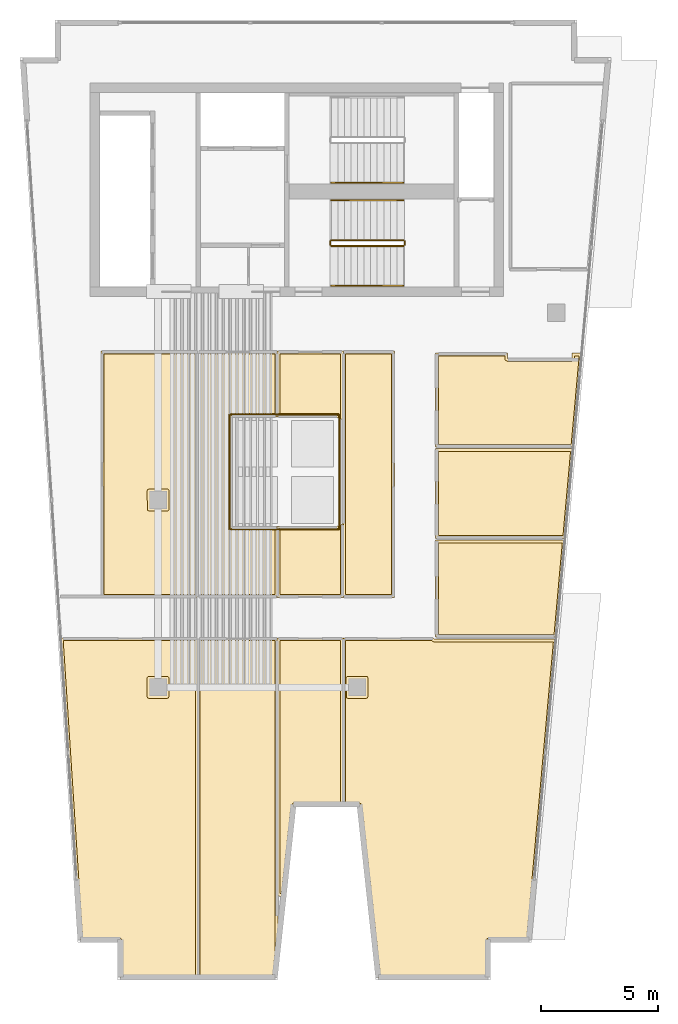
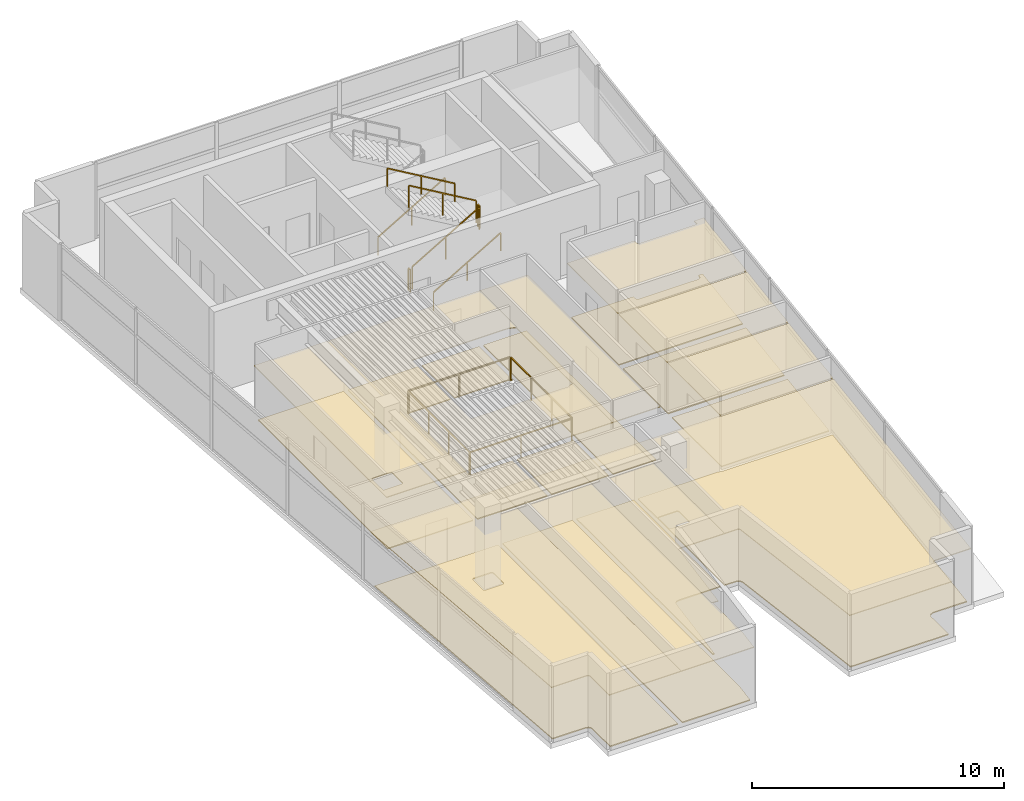
# One storey, part 6 of 7: 24 coverings, 11 railings.
"""IFC4 building model written with IfcOpenShell, lengths in metres."""

from ifc_helpers import new_model, si_unit, direction, frame, origin, origin_2d, place, context, subcontext, project, spatial, polyline, rectangle, outline, extrude, material, layer, layer_set, type_object, element, save


model = new_model("IFC4")

# Units and contexts
model_context = context("Model", 3, precision=1e-05, world=origin(), true_north=direction((0.0, 1.0)))
body_context = subcontext(model_context, "Body", "Model", "MODEL_VIEW")
ifc_project = project(units=[si_unit("LENGTHUNIT", "METRE"), si_unit("AREAUNIT", "SQUARE_METRE"), si_unit("VOLUMEUNIT", "CUBIC_METRE"), si_unit("PLANEANGLEUNIT", "RADIAN"), si_unit("MASSUNIT", "GRAM", prefix="KILO")], contexts=[model_context])

# Site, building, storey
site_placement = place(None, origin())
site = spatial("IfcSite", under=ifc_project, at=site_placement, CompositionType="ELEMENT")
building_placement = place(site_placement, origin())
building = spatial("IfcBuilding", under=site, at=building_placement, Name="Caeloran Harvest Quay", CompositionType="ELEMENT")
storey_placement = place(building_placement, frame((0.0, 0.0, 300.14990234375)))
storey = spatial("IfcBuildingStorey", under=building, at=storey_placement, Name="L72", CompositionType="ELEMENT", Elevation=300.14990234375)

# Coverings
ifc_material_1 = material(Name="Perforated Mineral-Fibre Acoustic Ceiling Tile", Category="ceiling")
ifc_layer_1 = layer(ifc_material_1, 0.0400390625, Name="Perforated Mineral-Fibre Acoustic Ceiling Tile")
ifc_layer_set_1 = layer_set([ifc_layer_1], Name="Perforated Mineral-Fibre Acoustic Ceiling Tile")
covering_type_1 = type_object("IfcCoveringType", Name="COV-CEILING-ACOUSTIC", PredefinedType="CEILING", material=ifc_layer_set_1)
covering_1_placement = place(storey_placement, frame((0.0, 0.0, 2.60009765625)))
element("IfcCovering", 1, at=covering_1_placement, inside=storey, type_object=covering_type_1, Name="L72 Male Washroom WC Acoustic Ceiling", PredefinedType="CEILING", context=body_context, shape_type="SweptSolid", body=[
    extrude(outline(polyline([(23.429931640625, 29.280029296875), (23.43017578125, 29.048095703125), (23.450927734375, 29.030029296875), (26.152099609375, 29.030029296875), (26.169921875, 29.048095703125), (26.169921875, 29.280029296875), (26.6171875, 29.280029296875), (26.254638671875, 25.260009765625), (20.360107421875, 25.260009765625), (20.360107421875, 29.280029296875), (23.429931640625, 29.280029296875)])), origin(), (0.0, 0.0, 1.0), 0.0400390625),
])
covering_2_placement = place(storey_placement, frame((0.0, 0.0, 2.60009765625)))
element("IfcCovering", 2, at=covering_2_placement, inside=storey, type_object=covering_type_1, Name="L72 Female Washroom WC Acoustic Ceiling", PredefinedType="CEILING", context=body_context, shape_type="SweptSolid", body=[
    extrude(outline(polyline([(26.248291015625, 25.18994140625), (25.90283203125, 21.360107421875), (20.360107421875, 21.360107421875), (20.360107421875, 25.18994140625), (26.248291015625, 25.18994140625)])), origin(), (0.0, 0.0, 1.0), 0.0400390625),
])
covering_3_placement = place(storey_placement, frame((0.0, 0.0, 2.60009765625)))
element("IfcCovering", 3, at=covering_3_placement, inside=storey, type_object=covering_type_1, Name="L72 Accessible Unisex Washroom WC Acoustic Ceiling", PredefinedType="CEILING", context=body_context, shape_type="SweptSolid", body=[
    extrude(outline(polyline([(25.896484375, 21.2900390625), (25.5224609375, 17.139892578125), (20.360107421875, 17.139892578125), (20.360107421875, 21.2900390625), (25.896484375, 21.2900390625)])), origin(), (0.0, 0.0, 1.0), 0.0400390625),
])
covering_4_placement = place(storey_placement, frame((0.0, 0.0, 2.60009765625)))
element("IfcCovering", 4, at=covering_4_placement, inside=storey, type_object=covering_type_1, Name="West Harbour Tasting Kitchen Acoustic Ceiling", PredefinedType="CEILING", context=body_context, shape_type="SweptSolid", body=[
    extrude(outline(polyline([(10.179931640625, 2.60009765625), (10.179931640625, 17.110107421875), (13.6201171875, 17.110107421875), (13.6201171875, 3.681640625), (13.502685546875, 2.60009765625), (10.179931640625, 2.60009765625)])), origin(), (0.0, 0.0, 1.0), 0.0400390625),
])
covering_5_placement = place(storey_placement, frame((0.0, 0.0, 2.60009765625)))
element("IfcCovering", 5, at=covering_5_placement, inside=storey, type_object=covering_type_1, Name="Executive Dining Kitchen Acoustic Ceiling", PredefinedType="CEILING", context=body_context, shape_type="SweptSolid", body=[
    extrude(outline(polyline([(6.865478515625, 4.147216796875), (6.82470703125, 4.18798828125), (6.776611328125, 4.199951171875), (5.166748046875, 4.199951171875), (4.323486328125, 17.110107421875), (10.219970703125, 17.110107421875), (10.219970703125, 2.60009765625), (6.87744140625, 2.60009765625), (6.87744140625, 4.09912109375), (6.865478515625, 4.147216796875)])), origin(), (0.0, 0.0, 1.0), 0.0400390625),
])
covering_6_placement = place(storey_placement, frame((0.0, 0.0, 2.60009765625)))
element("IfcCovering", 6, at=covering_6_placement, inside=storey, type_object=covering_type_1, Name="Sommelier Prep Kitchen Acoustic Ceiling", PredefinedType="CEILING", context=body_context, shape_type="SweptSolid", body=[
    extrude(outline(polyline([(25.51513671875, 17.06005859375), (24.35546875, 4.199951171875), (22.70361328125, 4.199951171875), (22.6318359375, 4.170654296875), (22.6025390625, 4.09912109375), (22.6025390625, 2.60009765625), (17.8896484375, 2.60009765625), (17.097900390625, 9.900390625), (17.0703125, 9.950927734375), (17.009765625, 9.9794921875), (16.3798828125, 9.97998046875), (16.3798828125, 17.110107421875), (20.258544921875, 17.110107421875), (20.2900390625, 17.08154296875), (20.2900390625, 17.06005859375), (25.51513671875, 17.06005859375)])), origin(), (0.0, 0.0, 1.0), 0.0400390625),
])
covering_7_placement = place(storey_placement, frame((0.0, 0.0, 2.60009765625)))
element("IfcCovering", 7, at=covering_7_placement, inside=storey, type_object=covering_type_1, Name="Crown Culinary Meeting Room Acoustic Ceiling", PredefinedType="CEILING", context=body_context, shape_type="SweptSolid", body=[
    extrude(outline(polyline([(16.419921875, 17.110107421875), (16.419921875, 9.97998046875), (14.3935546875, 9.97998046875), (14.345703125, 9.96826171875), (14.309814453125, 9.93603515625), (14.29296875, 9.889892578125), (13.87841796875, 6.066650390625), (13.580078125, 6.082763671875), (13.580078125, 17.110107421875), (16.419921875, 17.110107421875)])), origin(), (0.0, 0.0, 1.0), 0.0400390625),
])
covering_8_placement = place(storey_placement, frame((0.0, 0.0, 2.60009765625)))
element("IfcCovering", 8, at=covering_8_placement, inside=storey, type_object=covering_type_1, Name="Sky-Atrium Observation Lounge Acoustic Ceiling", PredefinedType="CEILING", context=body_context, shape_type="SweptSolid", body=[
    extrude(outline(polyline([(13.580078125, 18.840087890625), (13.580078125, 21.860107421875), (16.139892578125, 21.860107421875), (16.139892578125, 21.87841796875), (16.419921875, 21.978515625), (16.419921875, 18.840087890625), (13.580078125, 18.840087890625)])), origin(), (0.0, 0.0, 1.0), 0.0400390625),
])
covering_9_placement = place(storey_placement, frame((0.0, 0.0, 2.60009765625)))
element("IfcCovering", 9, at=covering_9_placement, inside=storey, type_object=covering_type_1, Name="Botanical Tea Kitchen Acoustic Ceiling", PredefinedType="CEILING", context=body_context, shape_type="SweptSolid", body=[
    extrude(outline(polyline([(10.219970703125, 29.360107421875), (10.219970703125, 18.840087890625), (6.070068359375, 18.840087890625), (6.070068359375, 29.360107421875), (10.219970703125, 29.360107421875)])), origin(), (0.0, 0.0, 1.0), 0.0400390625),
])
covering_10_placement = place(storey_placement, frame((0.0, 0.0, 2.60009765625)))
element("IfcCovering", 10, at=covering_10_placement, inside=storey, type_object=covering_type_1, Name="West Harbour Tasting Kitchen 7 Acoustic Ceiling", PredefinedType="CEILING", context=body_context, shape_type="SweptSolid", body=[
    extrude(outline(polyline([(11.659912109375, 26.5400390625), (11.659912109375, 21.860107421875), (13.6201171875, 21.860107421875), (13.6201171875, 18.840087890625), (10.179931640625, 18.840087890625), (10.179931640625, 29.360107421875), (13.6201171875, 29.360107421875), (13.6201171875, 26.5400390625), (11.659912109375, 26.5400390625)])), origin(), (0.0, 0.0, 1.0), 0.0400390625),
])
covering_11_placement = place(storey_placement, frame((0.0, 0.0, 2.60009765625)))
element("IfcCovering", 11, at=covering_11_placement, inside=storey, type_object=covering_type_1, Name="Executive Dining Kitchen 8 Acoustic Ceiling", PredefinedType="CEILING", context=body_context, shape_type="SweptSolid", body=[
    extrude(outline(polyline([(16.3798828125, 29.360107421875), (18.590087890625, 29.360107421875), (18.590087890625, 18.840087890625), (16.3798828125, 18.840087890625), (16.3798828125, 29.360107421875)])), origin(), (0.0, 0.0, 1.0), 0.0400390625),
])
covering_12_placement = place(storey_placement, frame((0.0, 0.0, 2.60009765625)))
element("IfcCovering", 12, at=covering_12_placement, inside=storey, type_object=covering_type_1, Name="Sommelier Prep Kitchen 9 Acoustic Ceiling", PredefinedType="CEILING", context=body_context, shape_type="SweptSolid", body=[
    extrude(outline(polyline([(16.140380859375, 26.5400390625), (13.580078125, 26.5400390625), (13.580078125, 29.360107421875), (16.419921875, 29.360107421875), (16.419921875, 26.42138671875), (16.141357421875, 26.521240234375), (16.140380859375, 26.5400390625)])), origin(), (0.0, 0.0, 1.0), 0.0400390625),
])
ifc_material_2 = material(Name="Calcium-Sulphate Raised Access Floor and Terrazzo Finish", Category="flooring")
ifc_layer_2 = layer(ifc_material_2, 0.050048828125, Name="Calcium-Sulphate Raised Access Floor and Terrazzo Finish")
ifc_layer_set_2 = layer_set([ifc_layer_2], Name="Calcium-Sulphate Raised Access Floor and Terrazzo Finish")
covering_type_2 = type_object("IfcCoveringType", Name="COV-FLOOR-RAISED", PredefinedType="FLOORING", material=ifc_layer_set_2)
covering_13_placement = place(storey_placement, origin())
element("IfcCovering", 13, at=covering_13_placement, inside=storey, type_object=covering_type_2, Name="L72 Male Washroom WC Raised Finish Flooring", PredefinedType="FLOORING", context=body_context, shape_type="SweptSolid", body=[
    extrude(outline(polyline([(23.31005859375, 29.159912109375), (23.32861328125, 28.980712890625), (23.449951171875, 28.909912109375), (26.159912109375, 28.910400390625), (26.275146484375, 28.987548828125), (26.2900390625, 29.159912109375), (26.48583984375, 29.159912109375), (26.14501953125, 25.3798828125), (20.47998046875, 25.3798828125), (20.47998046875, 29.159912109375), (23.31005859375, 29.159912109375)])), origin(), (0.0, 0.0, 1.0), 0.050048828125),
])
covering_14_placement = place(storey_placement, origin())
element("IfcCovering", 14, at=covering_14_placement, inside=storey, type_object=covering_type_2, Name="L72 Female Washroom WC Raised Finish Flooring", PredefinedType="FLOORING", context=body_context, shape_type="SweptSolid", body=[
    extrude(outline(polyline([(26.116943359375, 25.070068359375), (25.793212890625, 21.47998046875), (20.47998046875, 21.47998046875), (20.47998046875, 25.070068359375), (26.116943359375, 25.070068359375)])), origin(), (0.0, 0.0, 1.0), 0.050048828125),
])
covering_15_placement = place(storey_placement, origin())
element("IfcCovering", 15, at=covering_15_placement, inside=storey, type_object=covering_type_2, Name="L72 Accessible Unisex Washroom WC Raised Finish Flooring", PredefinedType="FLOORING", context=body_context, shape_type="SweptSolid", body=[
    extrude(outline(polyline([(25.765380859375, 21.169921875), (25.41259765625, 17.260009765625), (20.47998046875, 17.260009765625), (20.47998046875, 21.169921875), (25.765380859375, 21.169921875)])), origin(), (0.0, 0.0, 1.0), 0.050048828125),
])
covering_16_placement = place(storey_placement, origin())
element("IfcCovering", 16, at=covering_16_placement, inside=storey, type_object=covering_type_2, Name="West Harbour Tasting Kitchen Raised Finish Flooring", PredefinedType="FLOORING", context=body_context, shape_type="SweptSolid", body=[
    extrude(outline(polyline([(10.300048828125, 2.719970703125), (10.300048828125, 16.989990234375), (13.5, 16.989990234375), (13.5, 3.68798828125), (13.39501953125, 2.719970703125), (10.300048828125, 2.719970703125)])), origin(), (0.0, 0.0, 1.0), 0.050048828125),
])
covering_17_placement = place(storey_placement, origin())
element("IfcCovering", 17, at=covering_17_placement, inside=storey, type_object=covering_type_2, Name="Executive Dining Kitchen Raised Finish Flooring", PredefinedType="FLOORING", context=body_context, shape_type="SweptSolid", body=[
    extrude(outline(polyline([(6.982177734375, 4.180419921875), (6.90283203125, 4.28076171875), (6.795166015625, 4.319091796875), (5.279052734375, 4.320068359375), (4.45166015625, 16.989990234375), (10.10009765625, 16.989990234375), (10.10009765625, 2.719970703125), (6.99755859375, 2.719970703125), (6.982177734375, 4.180419921875)]), holes=[polyline([(8.030029296875, 14.610107421875), (8.053466796875, 14.553466796875), (8.102294921875, 14.530517578125), (8.889892578125, 14.530029296875), (8.946533203125, 14.553466796875), (8.969970703125, 14.610107421875), (8.969970703125, 15.389892578125), (8.946533203125, 15.446533203125), (8.889892578125, 15.469970703125), (8.110107421875, 15.469970703125), (8.053466796875, 15.446533203125), (8.030029296875, 15.389892578125), (8.030029296875, 14.610107421875)])]), origin(), (0.0, 0.0, 1.0), 0.050048828125),
])
covering_18_placement = place(storey_placement, origin())
element("IfcCovering", 18, at=covering_18_placement, inside=storey, type_object=covering_type_2, Name="Sommelier Prep Kitchen Raised Finish Flooring", PredefinedType="FLOORING", context=body_context, shape_type="SweptSolid", body=[
    extrude(outline(polyline([(20.18798828125, 16.989990234375), (20.280029296875, 16.93994140625), (25.3837890625, 16.93994140625), (24.24560546875, 4.320068359375), (22.698486328125, 4.31982421875), (22.5498046875, 4.25830078125), (22.482666015625, 4.10400390625), (22.482421875, 2.719970703125), (17.997314453125, 2.719970703125), (17.216064453125, 9.921142578125), (17.157470703125, 10.03369140625), (17.059814453125, 10.091796875), (16.5, 10.10009765625), (16.5, 16.989990234375), (20.18798828125, 16.989990234375)]), holes=[polyline([(16.530029296875, 15.389892578125), (16.548095703125, 14.55908203125), (16.602294921875, 14.530517578125), (17.389892578125, 14.530029296875), (17.446533203125, 14.553466796875), (17.469970703125, 14.610107421875), (17.469970703125, 15.389892578125), (17.446533203125, 15.446533203125), (17.389892578125, 15.469970703125), (16.610107421875, 15.469970703125), (16.553466796875, 15.446533203125), (16.530029296875, 15.389892578125)])]), origin(), (0.0, 0.0, 1.0), 0.050048828125),
])
covering_19_placement = place(storey_placement, origin())
element("IfcCovering", 19, at=covering_19_placement, inside=storey, type_object=covering_type_2, Name="Crown Culinary Meeting Room Raised Finish Flooring", PredefinedType="FLOORING", context=body_context, shape_type="SweptSolid", body=[
    extrude(outline(polyline([(16.300048828125, 16.989990234375), (16.300048828125, 10.10009765625), (14.388671875, 10.099853515625), (14.285888671875, 10.072509765625), (14.208251953125, 10.0), (14.173828125, 9.90380859375), (13.771484375, 6.192626953125), (13.699951171875, 6.196533203125), (13.699951171875, 16.989990234375), (16.300048828125, 16.989990234375)])), origin(), (0.0, 0.0, 1.0), 0.050048828125),
])
covering_20_placement = place(storey_placement, origin())
element("IfcCovering", 20, at=covering_20_placement, inside=storey, type_object=covering_type_2, Name="Sky-Atrium Observation Lounge Raised Finish Flooring", PredefinedType="FLOORING", context=body_context, shape_type="SweptSolid", body=[
    extrude(outline(polyline([(13.699951171875, 18.9599609375), (13.699951171875, 21.739990234375), (16.15380859375, 21.739990234375), (16.300048828125, 21.80810546875), (16.300048828125, 18.9599609375), (13.699951171875, 18.9599609375)])), origin(), (0.0, 0.0, 1.0), 0.050048828125),
])
covering_21_placement = place(storey_placement, origin())
element("IfcCovering", 21, at=covering_21_placement, inside=storey, type_object=covering_type_2, Name="Botanical Tea Kitchen Raised Finish Flooring", PredefinedType="FLOORING", context=body_context, shape_type="SweptSolid", body=[
    extrude(outline(polyline([(6.18994140625, 29.239990234375), (10.10009765625, 29.239990234375), (10.10009765625, 18.9599609375), (6.18994140625, 18.9599609375), (6.18994140625, 29.239990234375)]), holes=[polyline([(8.030029296875, 23.389892578125), (8.048095703125, 22.55908203125), (8.102294921875, 22.530517578125), (8.889892578125, 22.530029296875), (8.946533203125, 22.553466796875), (8.969970703125, 22.610107421875), (8.969970703125, 23.389892578125), (8.946533203125, 23.446533203125), (8.889892578125, 23.469970703125), (8.110107421875, 23.469970703125), (8.053466796875, 23.446533203125), (8.030029296875, 23.389892578125)])]), origin(), (0.0, 0.0, 1.0), 0.050048828125),
])
covering_22_placement = place(storey_placement, origin())
element("IfcCovering", 22, at=covering_22_placement, inside=storey, type_object=covering_type_2, Name="West Harbour Tasting Kitchen 7 Raised Finish Flooring", PredefinedType="FLOORING", context=body_context, shape_type="SweptSolid", body=[
    extrude(outline(polyline([(11.64306640625, 26.659912109375), (11.569580078125, 26.625), (11.5400390625, 26.550048828125), (11.54296875, 21.82470703125), (11.5771484375, 21.767578125), (11.64599609375, 21.739990234375), (13.5, 21.739990234375), (13.5, 18.9599609375), (10.300048828125, 18.9599609375), (10.300048828125, 29.239990234375), (13.5, 29.239990234375), (13.5, 26.659912109375), (11.64306640625, 26.659912109375)])), origin(), (0.0, 0.0, 1.0), 0.050048828125),
])
covering_23_placement = place(storey_placement, origin())
element("IfcCovering", 23, at=covering_23_placement, inside=storey, type_object=covering_type_2, Name="Executive Dining Kitchen 8 Raised Finish Flooring", PredefinedType="FLOORING", context=body_context, shape_type="SweptSolid", body=[
    extrude(outline(polyline([(16.5, 29.239990234375), (18.469970703125, 29.239990234375), (18.469970703125, 18.9599609375), (16.5, 18.9599609375), (16.5, 29.239990234375)])), origin(), (0.0, 0.0, 1.0), 0.050048828125),
])
covering_24_placement = place(storey_placement, origin())
element("IfcCovering", 24, at=covering_24_placement, inside=storey, type_object=covering_type_2, Name="Sommelier Prep Kitchen 9 Raised Finish Flooring", PredefinedType="FLOORING", context=body_context, shape_type="SweptSolid", body=[
    extrude(outline(polyline([(16.300048828125, 26.591796875), (16.14990234375, 26.659912109375), (13.699951171875, 26.659912109375), (13.699951171875, 29.239990234375), (16.300048828125, 29.239990234375), (16.300048828125, 26.591796875)])), origin(), (0.0, 0.0, 1.0), 0.050048828125),
])

# Railings
ifc_material_3 = material(Name="Powder-Coated Steel Post and Laminated Glass Guardrail", Category="steel")
ifc_layer_3 = layer(ifc_material_3, 0.06005859375, Name="Powder-Coated Steel Post and Laminated Glass Guardrail")
ifc_layer_set_3 = layer_set([ifc_layer_3], Name="Powder-Coated Steel Post and Laminated Glass Guardrail")
railing_type_1 = type_object("IfcRailingType", Name="GUARD-ATRIUM-1150", PredefinedType="GUARDRAIL", material=ifc_layer_set_3)
railing_1_placement = place(storey_placement, frame((11.58203125, 21.75, 0.0)))
element("IfcRailing", 25, at=railing_1_placement, inside=storey, type_object=railing_type_1, Name="L72 Atrium Skylight Deck Maintenance Guardrail Seg 1", PredefinedType="GUARDRAIL", context=body_context, shape_type="SweptSolid", body=[
    extrude(rectangle(XDim=0.048095703125, YDim=0.048095703125, at=origin_2d()), frame((0.0, 0.0, 1.1259765625), z_axis=(1.0, 0.0, 0.0), x_axis=(0.0, 1.0, 0.0)), (0.0, 0.0, 1.0), 4.635986328125),
    extrude(rectangle(XDim=0.0419921875, YDim=0.0419921875, at=origin_2d()), origin(), (0.0, 0.0, 1.0), 1.101806640625),
    extrude(rectangle(XDim=0.0419921875, YDim=0.0419921875, at=origin_2d()), frame((2.31787109375, 0.0, 0.0)), (0.0, 0.0, 1.0), 1.101806640625),
    extrude(rectangle(XDim=0.0419921875, YDim=0.0419921875, at=origin_2d()), frame((4.635986328125, 0.0, 0.0)), (0.0, 0.0, 1.0), 1.101806640625),
])
railing_2_placement = place(storey_placement, frame((16.25, 21.781982421875, 0.0)))
element("IfcRailing", 26, at=railing_2_placement, inside=storey, type_object=railing_type_1, Name="L72 Atrium Skylight Deck Maintenance Guardrail Seg 2", PredefinedType="GUARDRAIL", context=body_context, shape_type="SweptSolid", body=[
    extrude(rectangle(XDim=0.048095703125, YDim=0.048095703125, at=origin_2d()), frame((0.0, 0.0, 1.1259765625), z_axis=(0.0, 1.0, 0.0), x_axis=(-1.0, 0.0, 0.0)), (0.0, 0.0, 1.0), 4.8359375),
    extrude(rectangle(XDim=0.0419921875, YDim=0.0419921875, at=origin_2d()), origin(), (0.0, 0.0, 1.0), 1.101806640625),
    extrude(rectangle(XDim=0.0419921875, YDim=0.0419921875, at=origin_2d()), frame((0.0, 1.612060546875, 0.0)), (0.0, 0.0, 1.0), 1.101806640625),
    extrude(rectangle(XDim=0.0419921875, YDim=0.0419921875, at=origin_2d()), frame((0.0, 3.223876953125, 0.0)), (0.0, 0.0, 1.0), 1.101806640625),
    extrude(rectangle(XDim=0.0419921875, YDim=0.0419921875, at=origin_2d()), frame((0.0, 4.8359375, 0.0)), (0.0, 0.0, 1.0), 1.101806640625),
])
railing_3_placement = place(storey_placement, frame((16.218017578125, 26.64990234375, 0.0)))
element("IfcRailing", 27, at=railing_3_placement, inside=storey, type_object=railing_type_1, Name="L72 Atrium Skylight Deck Maintenance Guardrail Seg 3", PredefinedType="GUARDRAIL", context=body_context, shape_type="SweptSolid", body=[
    extrude(rectangle(XDim=0.048095703125, YDim=0.048095703125, at=origin_2d()), frame((0.0, 0.0, 1.1259765625), z_axis=(-1.0, 0.0, 0.0), x_axis=(0.0, -1.0, 0.0)), (0.0, 0.0, 1.0), 4.635986328125),
    extrude(rectangle(XDim=0.0419921875, YDim=0.0419921875, at=origin_2d()), origin(), (0.0, 0.0, 1.0), 1.101806640625),
    extrude(rectangle(XDim=0.0419921875, YDim=0.0419921875, at=origin_2d()), frame((-2.31787109375, 0.0, 0.0)), (0.0, 0.0, 1.0), 1.101806640625),
    extrude(rectangle(XDim=0.0419921875, YDim=0.0419921875, at=origin_2d()), frame((-4.635986328125, 0.0, 0.0)), (0.0, 0.0, 1.0), 1.101806640625),
])
railing_4_placement = place(storey_placement, frame((11.550048828125, 26.617919921875, 0.0)))
element("IfcRailing", 28, at=railing_4_placement, inside=storey, type_object=railing_type_1, Name="L72 Atrium Skylight Deck Maintenance Guardrail Seg 4", PredefinedType="GUARDRAIL", context=body_context, shape_type="SweptSolid", body=[
    extrude(rectangle(XDim=0.048095703125, YDim=0.048095703125, at=origin_2d()), frame((0.0, 0.0, 1.1259765625), z_axis=(0.0, -1.0, 0.0), x_axis=(1.0, 0.0, 0.0)), (0.0, 0.0, 1.0), 4.8359375),
    extrude(rectangle(XDim=0.0419921875, YDim=0.0419921875, at=origin_2d()), origin(), (0.0, 0.0, 1.0), 1.101806640625),
    extrude(rectangle(XDim=0.0419921875, YDim=0.0419921875, at=origin_2d()), frame((0.0, -1.612060546875, 0.0)), (0.0, 0.0, 1.0), 1.101806640625),
    extrude(rectangle(XDim=0.0419921875, YDim=0.0419921875, at=origin_2d()), frame((0.0, -3.223876953125, 0.0)), (0.0, 0.0, 1.0), 1.101806640625),
    extrude(rectangle(XDim=0.0419921875, YDim=0.0419921875, at=origin_2d()), frame((0.0, -4.8359375, 0.0)), (0.0, 0.0, 1.0), 1.101806640625),
])
ifc_material_4 = material(Name="Painted Steel Baluster and Top-Rail Stair Guard", Category="steel")
ifc_layer_4 = layer(ifc_material_4, 0.050048828125, Name="Painted Steel Baluster and Top-Rail Stair Guard")
ifc_layer_set_4 = layer_set([ifc_layer_4], Name="Painted Steel Baluster and Top-Rail Stair Guard")
railing_type_2 = type_object("IfcRailingType", Name="STAIR-GUARD-1100", PredefinedType="GUARDRAIL", material=ifc_layer_set_4)
railing_5_placement = place(storey_placement, frame((15.89990234375, 33.85009765625, 0.164794921875)))
element("IfcRailing", 29, at=railing_5_placement, inside=storey, type_object=railing_type_2, Name="L72 ST-C2 stair guard 1", PredefinedType="GUARDRAIL", context=body_context, shape_type="SweptSolid", body=[
    extrude(rectangle(XDim=0.048095703125, YDim=0.048095703125, at=origin_2d()), frame((0.0, 0.0, 1.076171875), z_axis=(0.862118610829, 0.0, 0.506706523406), x_axis=(0.0, 1.0, 0.0)), (0.0, 0.0, 1.0), 3.57275390625),
    extrude(rectangle(XDim=0.0419921875, YDim=0.0419921875, at=origin_2d()), origin(), (0.0, 0.0, 1.0), 1.052001953125),
    extrude(rectangle(XDim=0.0419921875, YDim=0.0419921875, at=origin_2d()), frame((1.5400390625, 0.0, 0.9052734375)), (0.0, 0.0, 1.0), 1.052001953125),
    extrude(rectangle(XDim=0.0419921875, YDim=0.0419921875, at=origin_2d()), frame((3.080078125, 0.0, 1.810302734375)), (0.0, 0.0, 1.0), 1.052001953125),
])
railing_6_placement = place(storey_placement, frame((19.030029296875, 33.89990234375, 1.97509765625)))
element("IfcRailing", 30, at=railing_6_placement, inside=storey, type_object=railing_type_2, Name="L72 ST-C2 stair guard 2", PredefinedType="GUARDRAIL", context=body_context, shape_type="SweptSolid", body=[
    extrude(rectangle(XDim=0.048095703125, YDim=0.048095703125, at=origin_2d()), frame((0.0, 0.0, 1.076171875), z_axis=(0.0, 1.0, 0.0), x_axis=(-1.0, 0.0, 0.0)), (0.0, 0.0, 1.0), 0.150146484375),
    extrude(rectangle(XDim=0.0419921875, YDim=0.0419921875, at=origin_2d()), origin(), (0.0, 0.0, 1.0), 1.052001953125),
    extrude(rectangle(XDim=0.0419921875, YDim=0.0419921875, at=origin_2d()), frame((0.0, 0.150146484375, 0.0)), (0.0, 0.0, 1.0), 1.052001953125),
])
railing_7_placement = place(storey_placement, frame((18.97998046875, 34.10009765625, 2.1396484375)))
element("IfcRailing", 31, at=railing_7_placement, inside=storey, type_object=railing_type_2, Name="L72 ST-C2 stair guard 3", PredefinedType="GUARDRAIL", context=body_context, shape_type="SweptSolid", body=[
    extrude(rectangle(XDim=0.048095703125, YDim=0.048095703125, at=origin_2d()), frame((0.0, 0.0, 1.076171875), z_axis=(-0.862088758681, 0.0, 0.506757310905), x_axis=(0.0, -1.0, 0.0)), (0.0, 0.0, 1.0), 3.57275390625),
    extrude(rectangle(XDim=0.0419921875, YDim=0.0419921875, at=origin_2d()), origin(), (0.0, 0.0, 1.0), 1.052001953125),
    extrude(rectangle(XDim=0.0419921875, YDim=0.0419921875, at=origin_2d()), frame((-1.5400390625, 0.0, 0.9052734375)), (0.0, 0.0, 1.0), 1.052001953125),
    extrude(rectangle(XDim=0.0419921875, YDim=0.0419921875, at=origin_2d()), frame((-3.080078125, 0.0, 1.810546875)), (0.0, 0.0, 1.0), 1.052001953125),
])
railing_8_placement = place(storey_placement, frame((15.85009765625, 33.89990234375, 0.0)))
element("IfcRailing", 32, at=railing_8_placement, inside=storey, type_object=railing_type_2, Name="L72 ST-C2 stair guard 4", PredefinedType="GUARDRAIL", context=body_context, shape_type="SweptSolid", body=[
    extrude(rectangle(XDim=0.048095703125, YDim=0.048095703125, at=origin_2d()), frame((0.0, 0.0, 1.076171875), z_axis=(0.0, 1.0, 0.0), x_axis=(-1.0, 0.0, 0.0)), (0.0, 0.0, 1.0), 0.150146484375),
    extrude(rectangle(XDim=0.0419921875, YDim=0.0419921875, at=origin_2d()), origin(), (0.0, 0.0, 1.0), 1.052001953125),
    extrude(rectangle(XDim=0.0419921875, YDim=0.0419921875, at=origin_2d()), frame((0.0, 0.150146484375, 0.0)), (0.0, 0.0, 1.0), 1.052001953125),
])
ifc_material_5 = material(Name="Brushed Stainless Steel Grade 304", Category="steel")
ifc_layer_5 = layer(ifc_material_5, 0.050048828125, Name="Brushed Stainless Steel Grade 304")
ifc_layer_set_5 = layer_set([ifc_layer_5], Name="Brushed Stainless Steel Grade 304")
railing_type_3 = type_object("IfcRailingType", Name="STAIR-HANDRAIL-900", PredefinedType="HANDRAIL", material=ifc_layer_set_5)
for number, where, name in (
    (33, (15.89990234375, 36.550048828125, 0.164794921875), "L72 ST-C1 stair handrail 1"),
    (34, (15.89990234375, 32.14990234375, 0.164794921875), "L72 ST-C2 stair handrail 1"),
):
    element("IfcRailing", number, at=place(storey_placement, frame(where)), inside=storey, type_object=railing_type_3, Name=name, PredefinedType="HANDRAIL", context=body_context, shape_type="SweptSolid", body=[
        extrude(rectangle(XDim=0.048095703125, YDim=0.048095703125, at=origin_2d()), frame((0.0, 0.0, 0.8759765625), z_axis=(0.862118610829, 0.0, 0.506706523406), x_axis=(0.0, 1.0, 0.0)), (0.0, 0.0, 1.0), 3.57275390625),
        extrude(rectangle(XDim=0.0419921875, YDim=0.0419921875, at=origin_2d()), origin(), (0.0, 0.0, 1.0), 0.851806640625),
        extrude(rectangle(XDim=0.0419921875, YDim=0.0419921875, at=origin_2d()), frame((1.5400390625, 0.0, 0.9052734375)), (0.0, 0.0, 1.0), 0.851806640625),
        extrude(rectangle(XDim=0.0419921875, YDim=0.0419921875, at=origin_2d()), frame((3.080078125, 0.0, 1.810302734375)), (0.0, 0.0, 1.0), 0.851806640625),
    ])
railing_9_placement = place(storey_placement, frame((18.97998046875, 35.800048828125, 2.1396484375)))
element("IfcRailing", 35, at=railing_9_placement, inside=storey, type_object=railing_type_3, Name="L72 ST-C2 stair handrail 2", PredefinedType="HANDRAIL", context=body_context, shape_type="SweptSolid", body=[
    extrude(rectangle(XDim=0.048095703125, YDim=0.048095703125, at=origin_2d()), frame((0.0, 0.0, 0.8759765625), z_axis=(-0.862088758681, 0.0, 0.506757310905), x_axis=(0.0, -1.0, 0.0)), (0.0, 0.0, 1.0), 3.57275390625),
    extrude(rectangle(XDim=0.0419921875, YDim=0.0419921875, at=origin_2d()), origin(), (0.0, 0.0, 1.0), 0.851806640625),
    extrude(rectangle(XDim=0.0419921875, YDim=0.0419921875, at=origin_2d()), frame((-1.5400390625, 0.0, 0.9052734375)), (0.0, 0.0, 1.0), 0.851806640625),
    extrude(rectangle(XDim=0.0419921875, YDim=0.0419921875, at=origin_2d()), frame((-3.080078125, 0.0, 1.810546875)), (0.0, 0.0, 1.0), 0.851806640625),
])

save(model, "model.ifc")
